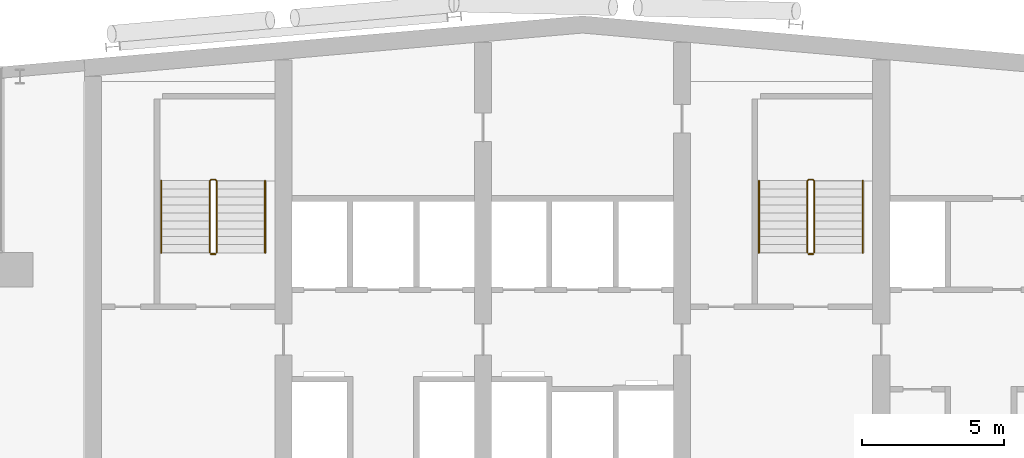
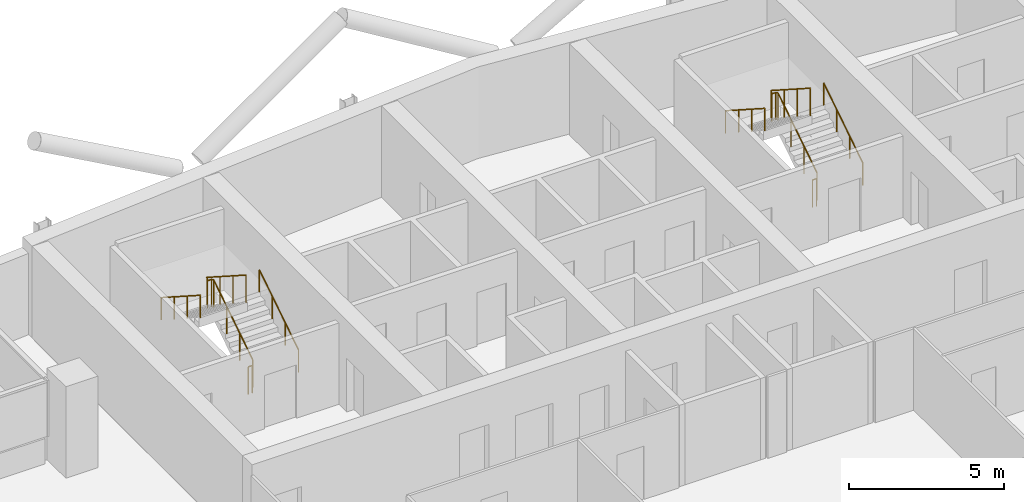
# One storey, part 27 of 27: 8 railings.
"""IFC4 building model written with IfcOpenShell, lengths in metres."""

from ifc_helpers import new_model, si_unit, direction, frame, origin, origin_2d, place, context, subcontext, project, spatial, circle, extrude, material, type_object, element, save


model = new_model("IFC4")

# Units and contexts
model_context = context("Model", 3, precision=1e-05, world=origin(), true_north=direction((0.0, 1.0)))
body_context = subcontext(model_context, "Body", "Model", "MODEL_VIEW")
ifc_project = project(units=[si_unit("LENGTHUNIT", "METRE"), si_unit("AREAUNIT", "SQUARE_METRE"), si_unit("VOLUMEUNIT", "CUBIC_METRE"), si_unit("PLANEANGLEUNIT", "RADIAN"), si_unit("MASSUNIT", "GRAM", prefix="KILO")], contexts=[model_context])

# Site, building, storey
site_placement = place(None, origin())
site = spatial("IfcSite", under=ifc_project, at=site_placement, CompositionType="ELEMENT")
building_placement = place(site_placement, origin())
building = spatial("IfcBuilding", under=site, at=building_placement, Name="Wharfspan Tower", CompositionType="ELEMENT")
storey_placement = place(building_placement, frame((0.0, 0.0, 243.100098)))
storey = spatial("IfcBuildingStorey", under=building, at=storey_placement, Name="L61", CompositionType="ELEMENT", Elevation=243.100098)

# Railings
ifc_material = material(Name="Steel S355J2", Category="steel")
railing_type_1 = type_object("IfcRailingType", Name="Stair guard 1100", PredefinedType="GUARDRAIL", material=ifc_material)
railing_1_placement = place(storey_placement, frame((27.649902, 42.0, 0.179932)))
element("IfcRailing", 1, at=railing_1_placement, inside=storey, type_object=railing_type_1, Name="L61 ST1 stair guard 1", PredefinedType="GUARDRAIL", context=body_context, shape_type="SweptSolid", body=[
    extrude(circle(Radius=0.023926, at=origin_2d()), frame((0.0, 0.0, 1.076172), z_axis=(0.0, 0.8412, 0.540725), x_axis=(-1.0, 0.0, 0.0)), (0.0, 0.0, 1.0), 2.99585),
    extrude(circle(Radius=0.023926, at=origin_2d()), frame((0.0, 2.52002, 2.695801), z_axis=(-0.705376, 0.708834, 0.0), x_axis=(-0.708834, -0.705376, 0.0)), (0.0, 0.0, 1.0), 0.070557),
    extrude(circle(Radius=0.023926, at=origin_2d()), frame((-0.049805, 2.570068, 2.695801), z_axis=(-1.0, 0.0, 0.0), x_axis=(0.0, -1.0, 0.0)), (0.0, 0.0, 1.0), 0.150146),
    extrude(circle(Radius=0.023926, at=origin_2d()), frame((-0.199951, 2.570068, 2.695801), z_axis=(-0.258544, -0.258544, 0.930758), x_axis=(0.707107, -0.707107, 0.0)), (0.0, 0.0, 1.0), 0.193604),
    extrude(circle(Radius=0.023926, at=origin_2d()), frame((-0.25, 2.52002, 2.875977), z_axis=(0.0, -0.8412, 0.540725), x_axis=(1.0, 0.0, 0.0)), (0.0, 0.0, 1.0), 2.99585),
    extrude(circle(Radius=0.020996, at=origin_2d()), origin(), (0.0, 0.0, 1.0), 1.052002),
    extrude(circle(Radius=0.020996, at=origin_2d()), frame((0.0, 0.840088, 0.540039)), (0.0, 0.0, 1.0), 1.052002),
    extrude(circle(Radius=0.020996, at=origin_2d()), frame((0.0, 1.679932, 1.079834)), (0.0, 0.0, 1.0), 1.052002),
    extrude(circle(Radius=0.020996, at=origin_2d()), frame((0.0, 2.52002, 1.619873)), (0.0, 0.0, 1.0), 1.052002),
    extrude(circle(Radius=0.020996, at=origin_2d()), frame((-0.049805, 2.570068, 1.619873)), (0.0, 0.0, 1.0), 1.052002),
    extrude(circle(Radius=0.020996, at=origin_2d()), frame((-0.199951, 2.570068, 1.619873)), (0.0, 0.0, 1.0), 1.052002),
    extrude(circle(Radius=0.020996, at=origin_2d()), frame((-0.25, 2.52002, 1.800049)), (0.0, 0.0, 1.0), 1.052002),
    extrude(circle(Radius=0.020996, at=origin_2d()), frame((-0.25, 1.679932, 2.340088)), (0.0, 0.0, 1.0), 1.052002),
    extrude(circle(Radius=0.020996, at=origin_2d()), frame((-0.25, 0.840088, 2.879883)), (0.0, 0.0, 1.0), 1.052002),
    extrude(circle(Radius=0.020996, at=origin_2d()), frame((-0.25, 0.0, 3.419922)), (0.0, 0.0, 1.0), 1.052002),
])
railing_2_placement = place(storey_placement, frame((27.600098, 41.949951, 0.0)))
element("IfcRailing", 2, at=railing_2_placement, inside=storey, type_object=railing_type_1, Name="L61 ST1 stair guard 2", PredefinedType="GUARDRAIL", context=body_context, shape_type="SweptSolid", body=[
    extrude(circle(Radius=0.023926, at=origin_2d()), frame((0.0, 0.0, 1.076172), z_axis=(-1.0, 0.0, 0.0), x_axis=(0.0, -1.0, 0.0)), (0.0, 0.0, 1.0), 0.150146),
    extrude(circle(Radius=0.020996, at=origin_2d()), origin(), (0.0, 0.0, 1.0), 1.052002),
    extrude(circle(Radius=0.020996, at=origin_2d()), frame((-0.150146, 0.0, 0.0)), (0.0, 0.0, 1.0), 1.052002),
])
railing_3_placement = place(storey_placement, frame((48.649902, 42.0, 0.179932)))
element("IfcRailing", 3, at=railing_3_placement, inside=storey, type_object=railing_type_1, Name="L61 ST2 stair guard 1", PredefinedType="GUARDRAIL", context=body_context, shape_type="SweptSolid", body=[
    extrude(circle(Radius=0.023926, at=origin_2d()), frame((0.0, 0.0, 1.076172), z_axis=(0.0, 0.8412, 0.540725), x_axis=(-1.0, 0.0, 0.0)), (0.0, 0.0, 1.0), 2.99585),
    extrude(circle(Radius=0.023926, at=origin_2d()), frame((0.0, 2.52002, 2.695801), z_axis=(-0.705376, 0.708834, 0.0), x_axis=(-0.708834, -0.705376, 0.0)), (0.0, 0.0, 1.0), 0.070557),
    extrude(circle(Radius=0.023926, at=origin_2d()), frame((-0.049805, 2.570068, 2.695801), z_axis=(-1.0, 0.0, 0.0), x_axis=(0.0, -1.0, 0.0)), (0.0, 0.0, 1.0), 0.150146),
    extrude(circle(Radius=0.023926, at=origin_2d()), frame((-0.199951, 2.570068, 2.695801), z_axis=(-0.258544, -0.258544, 0.930758), x_axis=(0.707107, -0.707107, 0.0)), (0.0, 0.0, 1.0), 0.193604),
    extrude(circle(Radius=0.023926, at=origin_2d()), frame((-0.25, 2.52002, 2.875977), z_axis=(0.0, -0.8412, 0.540725), x_axis=(1.0, 0.0, 0.0)), (0.0, 0.0, 1.0), 2.99585),
    extrude(circle(Radius=0.020996, at=origin_2d()), origin(), (0.0, 0.0, 1.0), 1.052002),
    extrude(circle(Radius=0.020996, at=origin_2d()), frame((0.0, 0.840088, 0.540039)), (0.0, 0.0, 1.0), 1.052002),
    extrude(circle(Radius=0.020996, at=origin_2d()), frame((0.0, 1.679932, 1.079834)), (0.0, 0.0, 1.0), 1.052002),
    extrude(circle(Radius=0.020996, at=origin_2d()), frame((0.0, 2.52002, 1.619873)), (0.0, 0.0, 1.0), 1.052002),
    extrude(circle(Radius=0.020996, at=origin_2d()), frame((-0.049805, 2.570068, 1.619873)), (0.0, 0.0, 1.0), 1.052002),
    extrude(circle(Radius=0.020996, at=origin_2d()), frame((-0.199951, 2.570068, 1.619873)), (0.0, 0.0, 1.0), 1.052002),
    extrude(circle(Radius=0.020996, at=origin_2d()), frame((-0.25, 2.52002, 1.800049)), (0.0, 0.0, 1.0), 1.052002),
    extrude(circle(Radius=0.020996, at=origin_2d()), frame((-0.25, 1.679932, 2.340088)), (0.0, 0.0, 1.0), 1.052002),
    extrude(circle(Radius=0.020996, at=origin_2d()), frame((-0.25, 0.840088, 2.879883)), (0.0, 0.0, 1.0), 1.052002),
    extrude(circle(Radius=0.020996, at=origin_2d()), frame((-0.25, 0.0, 3.419922)), (0.0, 0.0, 1.0), 1.052002),
])
railing_4_placement = place(storey_placement, frame((48.600098, 41.949951, 0.0)))
element("IfcRailing", 4, at=railing_4_placement, inside=storey, type_object=railing_type_1, Name="L61 ST2 stair guard 2", PredefinedType="GUARDRAIL", context=body_context, shape_type="SweptSolid", body=[
    extrude(circle(Radius=0.023926, at=origin_2d()), frame((0.0, 0.0, 1.076172), z_axis=(-1.0, 0.0, 0.0), x_axis=(0.0, -1.0, 0.0)), (0.0, 0.0, 1.0), 0.150146),
    extrude(circle(Radius=0.020996, at=origin_2d()), origin(), (0.0, 0.0, 1.0), 1.052002),
    extrude(circle(Radius=0.020996, at=origin_2d()), frame((-0.150146, 0.0, 0.0)), (0.0, 0.0, 1.0), 1.052002),
])
railing_type_2 = type_object("IfcRailingType", Name="Stair handrail 900", PredefinedType="HANDRAIL", material=ifc_material)
railing_5_placement = place(storey_placement, frame((29.350098, 42.0, 0.179932)))
element("IfcRailing", 5, at=railing_5_placement, inside=storey, type_object=railing_type_2, Name="L61 ST1 stair handrail 1", PredefinedType="HANDRAIL", context=body_context, shape_type="SweptSolid", body=[
    extrude(circle(Radius=0.023926, at=origin_2d()), frame((0.0, 0.0, 0.875977), z_axis=(0.0, 0.8412, 0.540725), x_axis=(-1.0, 0.0, 0.0)), (0.0, 0.0, 1.0), 2.99585),
    extrude(circle(Radius=0.020996, at=origin_2d()), origin(), (0.0, 0.0, 1.0), 0.851807),
    extrude(circle(Radius=0.020996, at=origin_2d()), frame((0.0, 0.840088, 0.540039)), (0.0, 0.0, 1.0), 0.851807),
    extrude(circle(Radius=0.020996, at=origin_2d()), frame((0.0, 1.679932, 1.079834)), (0.0, 0.0, 1.0), 0.851807),
    extrude(circle(Radius=0.020996, at=origin_2d()), frame((0.0, 2.52002, 1.619873)), (0.0, 0.0, 1.0), 0.851807),
])
railing_6_placement = place(storey_placement, frame((25.699951, 44.52002, 1.97998)))
element("IfcRailing", 6, at=railing_6_placement, inside=storey, type_object=railing_type_2, Name="L61 ST1 stair handrail 2", PredefinedType="HANDRAIL", context=body_context, shape_type="SweptSolid", body=[
    extrude(circle(Radius=0.023926, at=origin_2d()), frame((0.0, 0.0, 0.875977), z_axis=(0.0, -0.8412, 0.540725), x_axis=(1.0, 0.0, 0.0)), (0.0, 0.0, 1.0), 2.99585),
    extrude(circle(Radius=0.020996, at=origin_2d()), origin(), (0.0, 0.0, 1.0), 0.851807),
    extrude(circle(Radius=0.020996, at=origin_2d()), frame((0.0, -0.840088, 0.540039)), (0.0, 0.0, 1.0), 0.851807),
    extrude(circle(Radius=0.020996, at=origin_2d()), frame((0.0, -1.679932, 1.079834)), (0.0, 0.0, 1.0), 0.851807),
    extrude(circle(Radius=0.020996, at=origin_2d()), frame((0.0, -2.52002, 1.619873)), (0.0, 0.0, 1.0), 0.851807),
])
railing_7_placement = place(storey_placement, frame((50.350098, 42.0, 0.179932)))
element("IfcRailing", 7, at=railing_7_placement, inside=storey, type_object=railing_type_2, Name="L61 ST2 stair handrail 1", PredefinedType="HANDRAIL", context=body_context, shape_type="SweptSolid", body=[
    extrude(circle(Radius=0.023926, at=origin_2d()), frame((0.0, 0.0, 0.875977), z_axis=(0.0, 0.8412, 0.540725), x_axis=(-1.0, 0.0, 0.0)), (0.0, 0.0, 1.0), 2.99585),
    extrude(circle(Radius=0.020996, at=origin_2d()), origin(), (0.0, 0.0, 1.0), 0.851807),
    extrude(circle(Radius=0.020996, at=origin_2d()), frame((0.0, 0.840088, 0.540039)), (0.0, 0.0, 1.0), 0.851807),
    extrude(circle(Radius=0.020996, at=origin_2d()), frame((0.0, 1.679932, 1.079834)), (0.0, 0.0, 1.0), 0.851807),
    extrude(circle(Radius=0.020996, at=origin_2d()), frame((0.0, 2.52002, 1.619873)), (0.0, 0.0, 1.0), 0.851807),
])
railing_8_placement = place(storey_placement, frame((46.699951, 44.52002, 1.97998)))
element("IfcRailing", 8, at=railing_8_placement, inside=storey, type_object=railing_type_2, Name="L61 ST2 stair handrail 2", PredefinedType="HANDRAIL", context=body_context, shape_type="SweptSolid", body=[
    extrude(circle(Radius=0.023926, at=origin_2d()), frame((0.0, 0.0, 0.875977), z_axis=(0.0, -0.8412, 0.540725), x_axis=(1.0, 0.0, 0.0)), (0.0, 0.0, 1.0), 2.99585),
    extrude(circle(Radius=0.020996, at=origin_2d()), origin(), (0.0, 0.0, 1.0), 0.851807),
    extrude(circle(Radius=0.020996, at=origin_2d()), frame((0.0, -0.840088, 0.540039)), (0.0, 0.0, 1.0), 0.851807),
    extrude(circle(Radius=0.020996, at=origin_2d()), frame((0.0, -1.679932, 1.079834)), (0.0, 0.0, 1.0), 0.851807),
    extrude(circle(Radius=0.020996, at=origin_2d()), frame((0.0, -2.52002, 1.619873)), (0.0, 0.0, 1.0), 0.851807),
])

save(model, "model.ifc")
